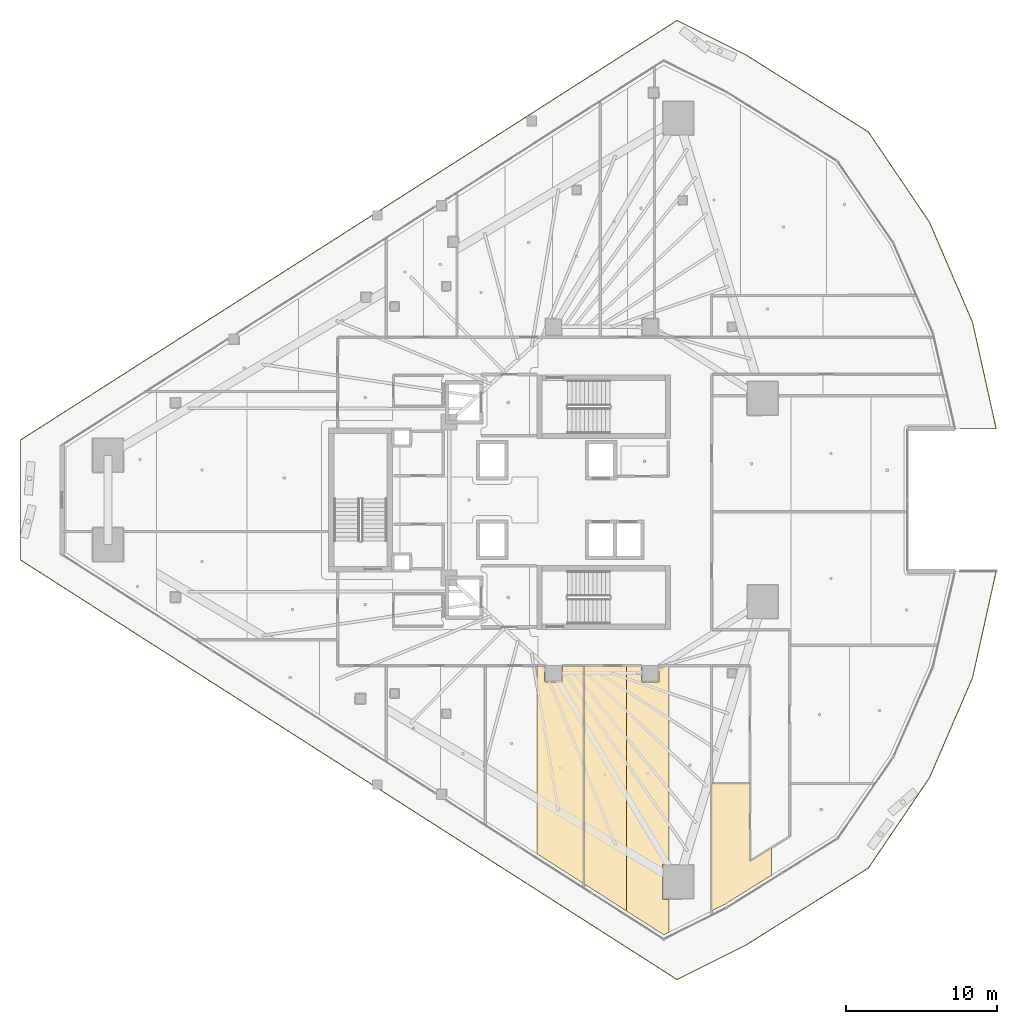
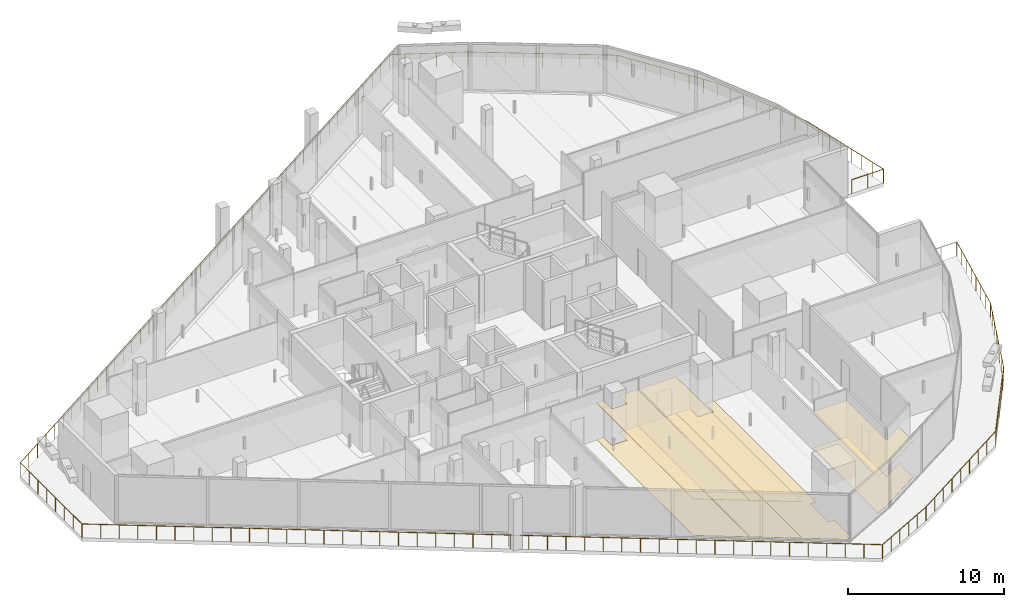
# One storey, part 31 of 35: 7 coverings, 1 railing.
"""IFC4 building model written with IfcOpenShell, lengths in metres."""

from ifc_helpers import new_model, si_unit, direction, frame, origin, origin_2d, place, context, subcontext, project, spatial, polyline, circle, outline, extrude, material, layer, layer_set, type_object, element, save


model = new_model("IFC4")

# Units and contexts
model_context = context("Model", 3, precision=1e-05, world=origin(), true_north=direction((0.0, 1.0)))
body_context = subcontext(model_context, "Body", "Model", "MODEL_VIEW")
ifc_project = project(units=[si_unit("LENGTHUNIT", "METRE"), si_unit("AREAUNIT", "SQUARE_METRE"), si_unit("VOLUMEUNIT", "CUBIC_METRE"), si_unit("PLANEANGLEUNIT", "RADIAN"), si_unit("MASSUNIT", "GRAM", prefix="KILO")], contexts=[model_context])

# Site, building, storey
site_placement = place(None, origin())
site = spatial("IfcSite", under=ifc_project, at=site_placement, CompositionType="ELEMENT")
building_placement = place(site_placement, origin())
building = spatial("IfcBuilding", under=site, at=building_placement, Name="Qorvath Tower", CompositionType="ELEMENT")
storey_placement = place(building_placement, frame((0.0, 0.0, 166.5)))
storey = spatial("IfcBuildingStorey", under=building, at=storey_placement, Name="L38", CompositionType="ELEMENT", Elevation=166.5)

# Coverings
ifc_material_1 = material(Name="Acoustic mineral fibre ceiling tile", Category="gypsum")
ifc_layer_1 = layer(ifc_material_1, 0.030029296875)
ifc_layer_set_1 = layer_set([ifc_layer_1], Name="COV-CEIL")
covering_type_1 = type_object("IfcCoveringType", Name="COV-CEIL", PredefinedType="CEILING", material=ifc_layer_set_1)
covering_1_placement = place(storey_placement, frame((0.0, 0.0, 2.85009765625)))
element("IfcCovering", 1, at=covering_1_placement, inside=storey, type_object=covering_type_1, Name="L38 Suspended Acoustic Ceiling 024", PredefinedType="CEILING", context=body_context, shape_type="SweptSolid", body=[
    extrude(outline(polyline([(-21.611328125, -25.3583984375), (-21.611328125, -10.962890625), (-23.014892578125, -10.962890625), (-23.032470703125, -12.017333984375), (-24.125, -12.034912109375), (-24.18505859375, -11.97509765625), (-24.18505859375, -10.962890625), (-24.685546875, -10.962890625), (-24.685546875, -23.393798828125), (-21.611328125, -25.3583984375)])), origin(), (0.0, 0.0, 1.0), 0.030029296875),
])
covering_2_placement = place(storey_placement, frame((0.0, 0.0, 2.85009765625)))
element("IfcCovering", 2, at=covering_2_placement, inside=storey, type_object=covering_type_1, Name="L38 Suspended Acoustic Ceiling 025", PredefinedType="CEILING", context=body_context, shape_type="SweptSolid", body=[
    extrude(outline(polyline([(-18.780517578125, -27.167724609375), (-18.780517578125, -10.962890625), (-21.59326171875, -10.962890625), (-21.59326171875, -25.3701171875), (-18.780517578125, -27.167724609375)])), origin(), (0.0, 0.0, 1.0), 0.030029296875),
])
covering_3_placement = place(storey_placement, frame((0.0, 0.0, 2.85009765625)))
element("IfcCovering", 3, at=covering_3_placement, inside=storey, type_object=covering_type_1, Name="L38 Suspended Acoustic Ceiling 028", PredefinedType="CEILING", context=body_context, shape_type="SweptSolid", body=[
    extrude(outline(polyline([(-13.136962890625, -18.7490234375), (-13.136962890625, -27.16796875), (-12.29443359375, -26.74658203125), (-9.174072265625, -24.7998046875), (-9.174072265625, -22.991943359375), (-10.608642578125, -23.8876953125), (-10.613037109375, -18.7490234375), (-13.136962890625, -18.7490234375)])), origin(), (0.0, 0.0, 1.0), 0.030029296875),
])
ifc_material_2 = material(Name="Low-VOC modular carpet tile", Category="textile")
ifc_layer_2 = layer(ifc_material_2, 0.014892578125)
ifc_layer_set_2 = layer_set([ifc_layer_2], Name="COV-FLOOR-CPT")
covering_type_2 = type_object("IfcCoveringType", Name="COV-FLOOR-CPT", PredefinedType="FLOORING", material=ifc_layer_set_2)
covering_4_placement = place(storey_placement, origin())
element("IfcCovering", 4, at=covering_4_placement, inside=storey, type_object=covering_type_2, Name="L38 Floor Finish 024", PredefinedType="FLOORING", context=body_context, shape_type="SweptSolid", body=[
    extrude(outline(polyline([(-21.611328125, -25.3583984375), (-21.611328125, -10.962890625), (-23.014892578125, -10.962890625), (-23.032470703125, -12.017333984375), (-24.125, -12.034912109375), (-24.18505859375, -11.97509765625), (-24.18505859375, -10.962890625), (-24.685546875, -10.962890625), (-24.685546875, -23.393798828125), (-21.611328125, -25.3583984375)])), origin(), (0.0, 0.0, 1.0), 0.014892578125),
])
covering_5_placement = place(storey_placement, origin())
element("IfcCovering", 5, at=covering_5_placement, inside=storey, type_object=covering_type_2, Name="L38 Floor Finish 025", PredefinedType="FLOORING", context=body_context, shape_type="SweptSolid", body=[
    extrude(outline(polyline([(-18.780517578125, -27.167724609375), (-18.780517578125, -10.962890625), (-21.59326171875, -10.962890625), (-21.59326171875, -25.3701171875), (-18.780517578125, -27.167724609375)])), origin(), (0.0, 0.0, 1.0), 0.014892578125),
])
covering_6_placement = place(storey_placement, origin())
element("IfcCovering", 6, at=covering_6_placement, inside=storey, type_object=covering_type_2, Name="L38 Floor Finish 026", PredefinedType="FLOORING", context=body_context, shape_type="SweptSolid", body=[
    extrude(outline(polyline([(-15.9677734375, -28.583251953125), (-15.9677734375, -26.40283203125), (-16.34423828125, -26.406005859375), (-16.404296875, -26.34619140625), (-16.38671875, -24.103759765625), (-15.9677734375, -24.103759765625), (-15.9677734375, -10.962890625), (-16.614990234375, -10.962890625), (-16.632568359375, -12.017333984375), (-17.72509765625, -12.034912109375), (-17.784912109375, -11.97509765625), (-17.784912109375, -10.962890625), (-18.780517578125, -10.962890625), (-18.780517578125, -27.167724609375), (-16.30322265625, -28.7509765625), (-15.9677734375, -28.583251953125)])), origin(), (0.0, 0.0, 1.0), 0.014892578125),
])
covering_7_placement = place(storey_placement, origin())
element("IfcCovering", 7, at=covering_7_placement, inside=storey, type_object=covering_type_2, Name="L38 Floor Finish 028", PredefinedType="FLOORING", context=body_context, shape_type="SweptSolid", body=[
    extrude(outline(polyline([(-13.136962890625, -18.7490234375), (-13.136962890625, -27.16796875), (-12.29443359375, -26.74658203125), (-9.174072265625, -24.7998046875), (-9.174072265625, -22.991943359375), (-10.608642578125, -23.8876953125), (-10.613037109375, -18.7490234375), (-13.136962890625, -18.7490234375)])), origin(), (0.0, 0.0, 1.0), 0.014892578125),
])

# Railing
ifc_material_3 = material(Name="Laminated safety glass and stainless steel AISI 316", Category="steel")
railing_type = type_object("IfcRailingType", Name="RL-EXT-GRD", PredefinedType="GUARDRAIL", material=ifc_material_3)
railing_placement = place(storey_placement, frame((5.671630859375, -4.708740234375, 0.0)))
element("IfcRailing", 8, at=railing_placement, inside=storey, type_object=railing_type, Name="Loggia Perimeter Guardrail L38-1.1", PredefinedType="GUARDRAIL", context=body_context, shape_type="SweptSolid", body=[
    extrude(circle(Radius=0.02392578125, at=origin_2d()), frame((0.0, 0.0, 1.09619140625), z_axis=(-0.216084314654, -0.976374707252, 0.0), x_axis=(0.976374707252, -0.216084314654, 0.0)), (0.0, 0.0, 1.0), 7.210693359375),
    extrude(circle(Radius=0.02392578125, at=origin_2d()), frame((-1.55810546875, -7.040283203125, 1.09619140625), z_axis=(-0.395496037293, -0.918467682875, 0.0), x_axis=(0.918467682875, -0.395496037293, 0.0)), (0.0, 0.0, 1.0), 7.210693359375),
    extrude(circle(Radius=0.02392578125, at=origin_2d()), frame((-4.409912109375, -13.6630859375, 1.09619140625), z_axis=(-0.560803224687, -0.827949118715, 0.0), x_axis=(0.827949118715, -0.560803224687, 0.0)), (0.0, 0.0, 1.0), 7.21044921875),
    extrude(circle(Radius=0.02392578125, at=origin_2d()), frame((-8.45361328125, -19.633056640625, 1.09619140625), z_axis=(-0.846488699048, -0.532406688898, 0.0), x_axis=(0.532406688898, -0.846488699048, 0.0)), (0.0, 0.0, 1.0), 9.5888671875),
    extrude(circle(Radius=0.02392578125, at=origin_2d()), frame((-16.570556640625, -24.73828125, 1.09619140625), z_axis=(-0.894427191, -0.4472135955, 0.0), x_axis=(0.4472135955, -0.894427191, 0.0)), (0.0, 0.0, 1.0), 5.06494140625),
    extrude(circle(Radius=0.02392578125, at=origin_2d()), frame((-21.100830078125, -27.00341796875, 1.09619140625), z_axis=(-0.842603748343, 0.538534050249, 0.0), x_axis=(-0.538534050249, -0.842603748343, 0.0)), (0.0, 0.0, 1.0), 51.525146484375),
    extrude(circle(Radius=0.02392578125, at=origin_2d()), frame((-64.51611328125, 0.74462890625, 1.09619140625), z_axis=(0.0, 1.0, 0.0), x_axis=(-1.0, 0.0, 0.0)), (0.0, 0.0, 1.0), 7.92822265625),
    extrude(circle(Radius=0.02392578125, at=origin_2d()), frame((-64.51611328125, 8.6728515625, 1.09619140625), z_axis=(0.842603748343, 0.538534050249, 0.0), x_axis=(-0.538534050249, 0.842603748343, 0.0)), (0.0, 0.0, 1.0), 51.525146484375),
    extrude(circle(Radius=0.02392578125, at=origin_2d()), frame((-21.100830078125, 36.4208984375, 1.09619140625), z_axis=(0.894427191, -0.4472135955, 0.0), x_axis=(0.4472135955, 0.894427191, 0.0)), (0.0, 0.0, 1.0), 5.06494140625),
    extrude(circle(Radius=0.02392578125, at=origin_2d()), frame((-16.570556640625, 34.15576171875, 1.09619140625), z_axis=(0.846488699048, -0.532406688898, 0.0), x_axis=(0.532406688898, 0.846488699048, 0.0)), (0.0, 0.0, 1.0), 9.5888671875),
    extrude(circle(Radius=0.02392578125, at=origin_2d()), frame((-8.45361328125, 29.050537109375, 1.09619140625), z_axis=(0.560803224687, -0.827949118715, 0.0), x_axis=(0.827949118715, 0.560803224687, 0.0)), (0.0, 0.0, 1.0), 7.21044921875),
    extrude(circle(Radius=0.02392578125, at=origin_2d()), frame((-4.409912109375, 23.08056640625, 1.09619140625), z_axis=(0.395496037293, -0.918467682875, 0.0), x_axis=(0.918467682875, 0.395496037293, 0.0)), (0.0, 0.0, 1.0), 7.210693359375),
    extrude(circle(Radius=0.02392578125, at=origin_2d()), frame((-1.55810546875, 16.457763671875, 1.09619140625), z_axis=(0.216084314654, -0.976374707252, 0.0), x_axis=(0.976374707252, 0.216084314654, 0.0)), (0.0, 0.0, 1.0), 7.210693359375),
    extrude(circle(Radius=0.02392578125, at=origin_2d()), frame((0.0, 9.41748046875, 1.09619140625), z_axis=(-1.0, 0.0, 0.0), x_axis=(0.0, -1.0, 0.0)), (0.0, 0.0, 1.0), 2.36669921875),
    extrude(circle(Radius=0.02099609375, at=origin_2d()), origin(), (0.0, 0.0, 1.0), 1.072021484375),
    extrude(circle(Radius=0.02099609375, at=origin_2d()), frame((-0.22265625, -1.005859375, 0.0)), (0.0, 0.0, 1.0), 1.072021484375),
    extrude(circle(Radius=0.02099609375, at=origin_2d()), frame((-0.445068359375, -2.011474609375, 0.0)), (0.0, 0.0, 1.0), 1.072021484375),
    extrude(circle(Radius=0.02099609375, at=origin_2d()), frame((-0.667724609375, -3.017333984375, 0.0)), (0.0, 0.0, 1.0), 1.072021484375),
    extrude(circle(Radius=0.02099609375, at=origin_2d()), frame((-0.890380859375, -4.02294921875, 0.0)), (0.0, 0.0, 1.0), 1.072021484375),
    extrude(circle(Radius=0.02099609375, at=origin_2d()), frame((-1.113037109375, -5.02880859375, 0.0)), (0.0, 0.0, 1.0), 1.072021484375),
    extrude(circle(Radius=0.02099609375, at=origin_2d()), frame((-1.33544921875, -6.034423828125, 0.0)), (0.0, 0.0, 1.0), 1.072021484375),
    extrude(circle(Radius=0.02099609375, at=origin_2d()), frame((-1.55810546875, -7.040283203125, 0.0)), (0.0, 0.0, 1.0), 1.072021484375),
    extrude(circle(Radius=0.02099609375, at=origin_2d()), frame((-1.965576171875, -7.986328125, 0.0)), (0.0, 0.0, 1.0), 1.072021484375),
    extrude(circle(Radius=0.02099609375, at=origin_2d()), frame((-2.372802734375, -8.9326171875, 0.0)), (0.0, 0.0, 1.0), 1.072021484375),
    extrude(circle(Radius=0.02099609375, at=origin_2d()), frame((-2.7802734375, -9.878662109375, 0.0)), (0.0, 0.0, 1.0), 1.072021484375),
    extrude(circle(Radius=0.02099609375, at=origin_2d()), frame((-3.187744140625, -10.82470703125, 0.0)), (0.0, 0.0, 1.0), 1.072021484375),
    extrude(circle(Radius=0.02099609375, at=origin_2d()), frame((-3.59521484375, -11.770751953125, 0.0)), (0.0, 0.0, 1.0), 1.072021484375),
    extrude(circle(Radius=0.02099609375, at=origin_2d()), frame((-4.00244140625, -12.717041015625, 0.0)), (0.0, 0.0, 1.0), 1.072021484375),
    extrude(circle(Radius=0.02099609375, at=origin_2d()), frame((-4.409912109375, -13.6630859375, 0.0)), (0.0, 0.0, 1.0), 1.072021484375),
    extrude(circle(Radius=0.02099609375, at=origin_2d()), frame((-4.987548828125, -14.515869140625, 0.0)), (0.0, 0.0, 1.0), 1.072021484375),
    extrude(circle(Radius=0.02099609375, at=origin_2d()), frame((-5.565185546875, -15.368896484375, 0.0)), (0.0, 0.0, 1.0), 1.072021484375),
    extrude(circle(Radius=0.02099609375, at=origin_2d()), frame((-6.142822265625, -16.2216796875, 0.0)), (0.0, 0.0, 1.0), 1.072021484375),
    extrude(circle(Radius=0.02099609375, at=origin_2d()), frame((-6.720703125, -17.074462890625, 0.0)), (0.0, 0.0, 1.0), 1.072021484375),
    extrude(circle(Radius=0.02099609375, at=origin_2d()), frame((-7.29833984375, -17.92724609375, 0.0)), (0.0, 0.0, 1.0), 1.072021484375),
    extrude(circle(Radius=0.02099609375, at=origin_2d()), frame((-7.8759765625, -18.7802734375, 0.0)), (0.0, 0.0, 1.0), 1.072021484375),
    extrude(circle(Radius=0.02099609375, at=origin_2d()), frame((-8.45361328125, -19.633056640625, 0.0)), (0.0, 0.0, 1.0), 1.072021484375),
    extrude(circle(Radius=0.02099609375, at=origin_2d()), frame((-9.46826171875, -20.271240234375, 0.0)), (0.0, 0.0, 1.0), 1.072021484375),
    extrude(circle(Radius=0.02099609375, at=origin_2d()), frame((-10.48291015625, -20.909423828125, 0.0)), (0.0, 0.0, 1.0), 1.072021484375),
    extrude(circle(Radius=0.02099609375, at=origin_2d()), frame((-11.49755859375, -21.547607421875, 0.0)), (0.0, 0.0, 1.0), 1.072021484375),
    extrude(circle(Radius=0.02099609375, at=origin_2d()), frame((-12.51220703125, -22.185546875, 0.0)), (0.0, 0.0, 1.0), 1.072021484375),
    extrude(circle(Radius=0.02099609375, at=origin_2d()), frame((-13.526611328125, -22.82373046875, 0.0)), (0.0, 0.0, 1.0), 1.072021484375),
    extrude(circle(Radius=0.02099609375, at=origin_2d()), frame((-14.541259765625, -23.4619140625, 0.0)), (0.0, 0.0, 1.0), 1.072021484375),
    extrude(circle(Radius=0.02099609375, at=origin_2d()), frame((-15.555908203125, -24.10009765625, 0.0)), (0.0, 0.0, 1.0), 1.072021484375),
    extrude(circle(Radius=0.02099609375, at=origin_2d()), frame((-16.570556640625, -24.73828125, 0.0)), (0.0, 0.0, 1.0), 1.072021484375),
    extrude(circle(Radius=0.02099609375, at=origin_2d()), frame((-17.4765625, -25.19140625, 0.0)), (0.0, 0.0, 1.0), 1.072021484375),
    extrude(circle(Radius=0.02099609375, at=origin_2d()), frame((-18.382568359375, -25.644287109375, 0.0)), (0.0, 0.0, 1.0), 1.072021484375),
    extrude(circle(Radius=0.02099609375, at=origin_2d()), frame((-19.288818359375, -26.097412109375, 0.0)), (0.0, 0.0, 1.0), 1.072021484375),
    extrude(circle(Radius=0.02099609375, at=origin_2d()), frame((-20.19482421875, -26.55029296875, 0.0)), (0.0, 0.0, 1.0), 1.072021484375),
    extrude(circle(Radius=0.02099609375, at=origin_2d()), frame((-21.100830078125, -27.00341796875, 0.0)), (0.0, 0.0, 1.0), 1.072021484375),
    extrude(circle(Radius=0.02099609375, at=origin_2d()), frame((-22.110595703125, -26.358154296875, 0.0)), (0.0, 0.0, 1.0), 1.072021484375),
    extrude(circle(Radius=0.02099609375, at=origin_2d()), frame((-23.1201171875, -25.712890625, 0.0)), (0.0, 0.0, 1.0), 1.072021484375),
    extrude(circle(Radius=0.02099609375, at=origin_2d()), frame((-24.1298828125, -25.067626953125, 0.0)), (0.0, 0.0, 1.0), 1.072021484375),
    extrude(circle(Radius=0.02099609375, at=origin_2d()), frame((-25.139404296875, -24.422119140625, 0.0)), (0.0, 0.0, 1.0), 1.072021484375),
    extrude(circle(Radius=0.02099609375, at=origin_2d()), frame((-26.149169921875, -23.77685546875, 0.0)), (0.0, 0.0, 1.0), 1.072021484375),
    extrude(circle(Radius=0.02099609375, at=origin_2d()), frame((-27.15869140625, -23.131591796875, 0.0)), (0.0, 0.0, 1.0), 1.072021484375),
    extrude(circle(Radius=0.02099609375, at=origin_2d()), frame((-28.16845703125, -22.486328125, 0.0)), (0.0, 0.0, 1.0), 1.072021484375),
    extrude(circle(Radius=0.02099609375, at=origin_2d()), frame((-29.177978515625, -21.841064453125, 0.0)), (0.0, 0.0, 1.0), 1.072021484375),
    extrude(circle(Radius=0.02099609375, at=origin_2d()), frame((-30.187744140625, -21.19580078125, 0.0)), (0.0, 0.0, 1.0), 1.072021484375),
    extrude(circle(Radius=0.02099609375, at=origin_2d()), frame((-31.197509765625, -20.55029296875, 0.0)), (0.0, 0.0, 1.0), 1.072021484375),
    extrude(circle(Radius=0.02099609375, at=origin_2d()), frame((-32.20703125, -19.905029296875, 0.0)), (0.0, 0.0, 1.0), 1.072021484375),
    extrude(circle(Radius=0.02099609375, at=origin_2d()), frame((-33.216796875, -19.259765625, 0.0)), (0.0, 0.0, 1.0), 1.072021484375),
    extrude(circle(Radius=0.02099609375, at=origin_2d()), frame((-34.226318359375, -18.614501953125, 0.0)), (0.0, 0.0, 1.0), 1.072021484375),
    extrude(circle(Radius=0.02099609375, at=origin_2d()), frame((-35.236083984375, -17.96923828125, 0.0)), (0.0, 0.0, 1.0), 1.072021484375),
    extrude(circle(Radius=0.02099609375, at=origin_2d()), frame((-36.24560546875, -17.323974609375, 0.0)), (0.0, 0.0, 1.0), 1.072021484375),
    extrude(circle(Radius=0.02099609375, at=origin_2d()), frame((-37.25537109375, -16.678466796875, 0.0)), (0.0, 0.0, 1.0), 1.072021484375),
    extrude(circle(Radius=0.02099609375, at=origin_2d()), frame((-38.264892578125, -16.033203125, 0.0)), (0.0, 0.0, 1.0), 1.072021484375),
    extrude(circle(Radius=0.02099609375, at=origin_2d()), frame((-39.274658203125, -15.387939453125, 0.0)), (0.0, 0.0, 1.0), 1.072021484375),
    extrude(circle(Radius=0.02099609375, at=origin_2d()), frame((-40.284423828125, -14.74267578125, 0.0)), (0.0, 0.0, 1.0), 1.072021484375),
    extrude(circle(Radius=0.02099609375, at=origin_2d()), frame((-41.2939453125, -14.097412109375, 0.0)), (0.0, 0.0, 1.0), 1.072021484375),
    extrude(circle(Radius=0.02099609375, at=origin_2d()), frame((-42.3037109375, -13.4521484375, 0.0)), (0.0, 0.0, 1.0), 1.072021484375),
    extrude(circle(Radius=0.02099609375, at=origin_2d()), frame((-43.313232421875, -12.806640625, 0.0)), (0.0, 0.0, 1.0), 1.072021484375),
    extrude(circle(Radius=0.02099609375, at=origin_2d()), frame((-44.322998046875, -12.161376953125, 0.0)), (0.0, 0.0, 1.0), 1.072021484375),
    extrude(circle(Radius=0.02099609375, at=origin_2d()), frame((-45.33251953125, -11.51611328125, 0.0)), (0.0, 0.0, 1.0), 1.072021484375),
    extrude(circle(Radius=0.02099609375, at=origin_2d()), frame((-46.34228515625, -10.870849609375, 0.0)), (0.0, 0.0, 1.0), 1.072021484375),
    extrude(circle(Radius=0.02099609375, at=origin_2d()), frame((-47.35205078125, -10.2255859375, 0.0)), (0.0, 0.0, 1.0), 1.072021484375),
    extrude(circle(Radius=0.02099609375, at=origin_2d()), frame((-48.361572265625, -9.580322265625, 0.0)), (0.0, 0.0, 1.0), 1.072021484375),
    extrude(circle(Radius=0.02099609375, at=origin_2d()), frame((-49.371337890625, -8.934814453125, 0.0)), (0.0, 0.0, 1.0), 1.072021484375),
    extrude(circle(Radius=0.02099609375, at=origin_2d()), frame((-50.380859375, -8.28955078125, 0.0)), (0.0, 0.0, 1.0), 1.072021484375),
    extrude(circle(Radius=0.02099609375, at=origin_2d()), frame((-51.390625, -7.644287109375, 0.0)), (0.0, 0.0, 1.0), 1.072021484375),
    extrude(circle(Radius=0.02099609375, at=origin_2d()), frame((-52.400146484375, -6.9990234375, 0.0)), (0.0, 0.0, 1.0), 1.072021484375),
    extrude(circle(Radius=0.02099609375, at=origin_2d()), frame((-53.409912109375, -6.353759765625, 0.0)), (0.0, 0.0, 1.0), 1.072021484375),
    extrude(circle(Radius=0.02099609375, at=origin_2d()), frame((-54.41943359375, -5.70849609375, 0.0)), (0.0, 0.0, 1.0), 1.072021484375),
    extrude(circle(Radius=0.02099609375, at=origin_2d()), frame((-55.42919921875, -5.06298828125, 0.0)), (0.0, 0.0, 1.0), 1.072021484375),
    extrude(circle(Radius=0.02099609375, at=origin_2d()), frame((-56.43896484375, -4.417724609375, 0.0)), (0.0, 0.0, 1.0), 1.072021484375),
    extrude(circle(Radius=0.02099609375, at=origin_2d()), frame((-57.448486328125, -3.7724609375, 0.0)), (0.0, 0.0, 1.0), 1.072021484375),
    extrude(circle(Radius=0.02099609375, at=origin_2d()), frame((-58.458251953125, -3.127197265625, 0.0)), (0.0, 0.0, 1.0), 1.072021484375),
    extrude(circle(Radius=0.02099609375, at=origin_2d()), frame((-59.4677734375, -2.48193359375, 0.0)), (0.0, 0.0, 1.0), 1.072021484375),
    extrude(circle(Radius=0.02099609375, at=origin_2d()), frame((-60.4775390625, -1.836669921875, 0.0)), (0.0, 0.0, 1.0), 1.072021484375),
    extrude(circle(Radius=0.02099609375, at=origin_2d()), frame((-61.487060546875, -1.191162109375, 0.0)), (0.0, 0.0, 1.0), 1.072021484375),
    extrude(circle(Radius=0.02099609375, at=origin_2d()), frame((-62.496826171875, -0.5458984375, 0.0)), (0.0, 0.0, 1.0), 1.072021484375),
    extrude(circle(Radius=0.02099609375, at=origin_2d()), frame((-63.50634765625, 0.099365234375, 0.0)), (0.0, 0.0, 1.0), 1.072021484375),
    extrude(circle(Radius=0.02099609375, at=origin_2d()), frame((-64.51611328125, 0.74462890625, 0.0)), (0.0, 0.0, 1.0), 1.072021484375),
    extrude(circle(Radius=0.02099609375, at=origin_2d()), frame((-64.51611328125, 1.877197265625, 0.0)), (0.0, 0.0, 1.0), 1.072021484375),
    extrude(circle(Radius=0.02099609375, at=origin_2d()), frame((-64.51611328125, 3.009765625, 0.0)), (0.0, 0.0, 1.0), 1.072021484375),
    extrude(circle(Radius=0.02099609375, at=origin_2d()), frame((-64.51611328125, 4.142333984375, 0.0)), (0.0, 0.0, 1.0), 1.072021484375),
    extrude(circle(Radius=0.02099609375, at=origin_2d()), frame((-64.51611328125, 5.275146484375, 0.0)), (0.0, 0.0, 1.0), 1.072021484375),
    extrude(circle(Radius=0.02099609375, at=origin_2d()), frame((-64.51611328125, 6.40771484375, 0.0)), (0.0, 0.0, 1.0), 1.072021484375),
    extrude(circle(Radius=0.02099609375, at=origin_2d()), frame((-64.51611328125, 7.540283203125, 0.0)), (0.0, 0.0, 1.0), 1.072021484375),
    extrude(circle(Radius=0.02099609375, at=origin_2d()), frame((-64.51611328125, 8.6728515625, 0.0)), (0.0, 0.0, 1.0), 1.072021484375),
    extrude(circle(Radius=0.02099609375, at=origin_2d()), frame((-63.50634765625, 9.318115234375, 0.0)), (0.0, 0.0, 1.0), 1.072021484375),
    extrude(circle(Radius=0.02099609375, at=origin_2d()), frame((-62.496826171875, 9.96337890625, 0.0)), (0.0, 0.0, 1.0), 1.072021484375),
    extrude(circle(Radius=0.02099609375, at=origin_2d()), frame((-61.487060546875, 10.608642578125, 0.0)), (0.0, 0.0, 1.0), 1.072021484375),
    extrude(circle(Radius=0.02099609375, at=origin_2d()), frame((-60.4775390625, 11.254150390625, 0.0)), (0.0, 0.0, 1.0), 1.072021484375),
    extrude(circle(Radius=0.02099609375, at=origin_2d()), frame((-59.4677734375, 11.8994140625, 0.0)), (0.0, 0.0, 1.0), 1.072021484375),
    extrude(circle(Radius=0.02099609375, at=origin_2d()), frame((-58.458251953125, 12.544677734375, 0.0)), (0.0, 0.0, 1.0), 1.072021484375),
    extrude(circle(Radius=0.02099609375, at=origin_2d()), frame((-57.448486328125, 13.18994140625, 0.0)), (0.0, 0.0, 1.0), 1.072021484375),
    extrude(circle(Radius=0.02099609375, at=origin_2d()), frame((-56.43896484375, 13.835205078125, 0.0)), (0.0, 0.0, 1.0), 1.072021484375),
    extrude(circle(Radius=0.02099609375, at=origin_2d()), frame((-55.42919921875, 14.48046875, 0.0)), (0.0, 0.0, 1.0), 1.072021484375),
    extrude(circle(Radius=0.02099609375, at=origin_2d()), frame((-54.41943359375, 15.1259765625, 0.0)), (0.0, 0.0, 1.0), 1.072021484375),
    extrude(circle(Radius=0.02099609375, at=origin_2d()), frame((-53.409912109375, 15.771240234375, 0.0)), (0.0, 0.0, 1.0), 1.072021484375),
    extrude(circle(Radius=0.02099609375, at=origin_2d()), frame((-52.400146484375, 16.41650390625, 0.0)), (0.0, 0.0, 1.0), 1.072021484375),
    extrude(circle(Radius=0.02099609375, at=origin_2d()), frame((-51.390625, 17.061767578125, 0.0)), (0.0, 0.0, 1.0), 1.072021484375),
    extrude(circle(Radius=0.02099609375, at=origin_2d()), frame((-50.380859375, 17.70703125, 0.0)), (0.0, 0.0, 1.0), 1.072021484375),
    extrude(circle(Radius=0.02099609375, at=origin_2d()), frame((-49.371337890625, 18.352294921875, 0.0)), (0.0, 0.0, 1.0), 1.072021484375),
    extrude(circle(Radius=0.02099609375, at=origin_2d()), frame((-48.361572265625, 18.997802734375, 0.0)), (0.0, 0.0, 1.0), 1.072021484375),
    extrude(circle(Radius=0.02099609375, at=origin_2d()), frame((-47.35205078125, 19.64306640625, 0.0)), (0.0, 0.0, 1.0), 1.072021484375),
    extrude(circle(Radius=0.02099609375, at=origin_2d()), frame((-46.34228515625, 20.288330078125, 0.0)), (0.0, 0.0, 1.0), 1.072021484375),
    extrude(circle(Radius=0.02099609375, at=origin_2d()), frame((-45.33251953125, 20.93359375, 0.0)), (0.0, 0.0, 1.0), 1.072021484375),
    extrude(circle(Radius=0.02099609375, at=origin_2d()), frame((-44.322998046875, 21.578857421875, 0.0)), (0.0, 0.0, 1.0), 1.072021484375),
    extrude(circle(Radius=0.02099609375, at=origin_2d()), frame((-43.313232421875, 22.22412109375, 0.0)), (0.0, 0.0, 1.0), 1.072021484375),
    extrude(circle(Radius=0.02099609375, at=origin_2d()), frame((-42.3037109375, 22.86962890625, 0.0)), (0.0, 0.0, 1.0), 1.072021484375),
    extrude(circle(Radius=0.02099609375, at=origin_2d()), frame((-41.2939453125, 23.514892578125, 0.0)), (0.0, 0.0, 1.0), 1.072021484375),
    extrude(circle(Radius=0.02099609375, at=origin_2d()), frame((-40.284423828125, 24.16015625, 0.0)), (0.0, 0.0, 1.0), 1.072021484375),
    extrude(circle(Radius=0.02099609375, at=origin_2d()), frame((-39.274658203125, 24.805419921875, 0.0)), (0.0, 0.0, 1.0), 1.072021484375),
    extrude(circle(Radius=0.02099609375, at=origin_2d()), frame((-38.264892578125, 25.45068359375, 0.0)), (0.0, 0.0, 1.0), 1.072021484375),
    extrude(circle(Radius=0.02099609375, at=origin_2d()), frame((-37.25537109375, 26.095947265625, 0.0)), (0.0, 0.0, 1.0), 1.072021484375),
    extrude(circle(Radius=0.02099609375, at=origin_2d()), frame((-36.24560546875, 26.741455078125, 0.0)), (0.0, 0.0, 1.0), 1.072021484375),
    extrude(circle(Radius=0.02099609375, at=origin_2d()), frame((-35.236083984375, 27.38671875, 0.0)), (0.0, 0.0, 1.0), 1.072021484375),
    extrude(circle(Radius=0.02099609375, at=origin_2d()), frame((-34.226318359375, 28.031982421875, 0.0)), (0.0, 0.0, 1.0), 1.072021484375),
    extrude(circle(Radius=0.02099609375, at=origin_2d()), frame((-33.216796875, 28.67724609375, 0.0)), (0.0, 0.0, 1.0), 1.072021484375),
    extrude(circle(Radius=0.02099609375, at=origin_2d()), frame((-32.20703125, 29.322509765625, 0.0)), (0.0, 0.0, 1.0), 1.072021484375),
    extrude(circle(Radius=0.02099609375, at=origin_2d()), frame((-31.197509765625, 29.9677734375, 0.0)), (0.0, 0.0, 1.0), 1.072021484375),
    extrude(circle(Radius=0.02099609375, at=origin_2d()), frame((-30.187744140625, 30.61328125, 0.0)), (0.0, 0.0, 1.0), 1.072021484375),
    extrude(circle(Radius=0.02099609375, at=origin_2d()), frame((-29.177978515625, 31.258544921875, 0.0)), (0.0, 0.0, 1.0), 1.072021484375),
    extrude(circle(Radius=0.02099609375, at=origin_2d()), frame((-28.16845703125, 31.90380859375, 0.0)), (0.0, 0.0, 1.0), 1.072021484375),
    extrude(circle(Radius=0.02099609375, at=origin_2d()), frame((-27.15869140625, 32.549072265625, 0.0)), (0.0, 0.0, 1.0), 1.072021484375),
    extrude(circle(Radius=0.02099609375, at=origin_2d()), frame((-26.149169921875, 33.1943359375, 0.0)), (0.0, 0.0, 1.0), 1.072021484375),
    extrude(circle(Radius=0.02099609375, at=origin_2d()), frame((-25.139404296875, 33.839599609375, 0.0)), (0.0, 0.0, 1.0), 1.072021484375),
    extrude(circle(Radius=0.02099609375, at=origin_2d()), frame((-24.1298828125, 34.485107421875, 0.0)), (0.0, 0.0, 1.0), 1.072021484375),
    extrude(circle(Radius=0.02099609375, at=origin_2d()), frame((-23.1201171875, 35.13037109375, 0.0)), (0.0, 0.0, 1.0), 1.072021484375),
    extrude(circle(Radius=0.02099609375, at=origin_2d()), frame((-22.110595703125, 35.775634765625, 0.0)), (0.0, 0.0, 1.0), 1.072021484375),
    extrude(circle(Radius=0.02099609375, at=origin_2d()), frame((-21.100830078125, 36.4208984375, 0.0)), (0.0, 0.0, 1.0), 1.072021484375),
    extrude(circle(Radius=0.02099609375, at=origin_2d()), frame((-20.19482421875, 35.9677734375, 0.0)), (0.0, 0.0, 1.0), 1.072021484375),
    extrude(circle(Radius=0.02099609375, at=origin_2d()), frame((-19.288818359375, 35.514892578125, 0.0)), (0.0, 0.0, 1.0), 1.072021484375),
    extrude(circle(Radius=0.02099609375, at=origin_2d()), frame((-18.382568359375, 35.061767578125, 0.0)), (0.0, 0.0, 1.0), 1.072021484375),
    extrude(circle(Radius=0.02099609375, at=origin_2d()), frame((-17.4765625, 34.60888671875, 0.0)), (0.0, 0.0, 1.0), 1.072021484375),
    extrude(circle(Radius=0.02099609375, at=origin_2d()), frame((-16.570556640625, 34.15576171875, 0.0)), (0.0, 0.0, 1.0), 1.072021484375),
    extrude(circle(Radius=0.02099609375, at=origin_2d()), frame((-15.555908203125, 33.517578125, 0.0)), (0.0, 0.0, 1.0), 1.072021484375),
    extrude(circle(Radius=0.02099609375, at=origin_2d()), frame((-14.541259765625, 32.87939453125, 0.0)), (0.0, 0.0, 1.0), 1.072021484375),
    extrude(circle(Radius=0.02099609375, at=origin_2d()), frame((-13.526611328125, 32.2412109375, 0.0)), (0.0, 0.0, 1.0), 1.072021484375),
    extrude(circle(Radius=0.02099609375, at=origin_2d()), frame((-12.51220703125, 31.60302734375, 0.0)), (0.0, 0.0, 1.0), 1.072021484375),
    extrude(circle(Radius=0.02099609375, at=origin_2d()), frame((-11.49755859375, 30.965087890625, 0.0)), (0.0, 0.0, 1.0), 1.072021484375),
    extrude(circle(Radius=0.02099609375, at=origin_2d()), frame((-10.48291015625, 30.326904296875, 0.0)), (0.0, 0.0, 1.0), 1.072021484375),
    extrude(circle(Radius=0.02099609375, at=origin_2d()), frame((-9.46826171875, 29.688720703125, 0.0)), (0.0, 0.0, 1.0), 1.072021484375),
    extrude(circle(Radius=0.02099609375, at=origin_2d()), frame((-8.45361328125, 29.050537109375, 0.0)), (0.0, 0.0, 1.0), 1.072021484375),
    extrude(circle(Radius=0.02099609375, at=origin_2d()), frame((-7.8759765625, 28.19775390625, 0.0)), (0.0, 0.0, 1.0), 1.072021484375),
    extrude(circle(Radius=0.02099609375, at=origin_2d()), frame((-7.29833984375, 27.3447265625, 0.0)), (0.0, 0.0, 1.0), 1.072021484375),
    extrude(circle(Radius=0.02099609375, at=origin_2d()), frame((-6.720703125, 26.491943359375, 0.0)), (0.0, 0.0, 1.0), 1.072021484375),
    extrude(circle(Radius=0.02099609375, at=origin_2d()), frame((-6.142822265625, 25.63916015625, 0.0)), (0.0, 0.0, 1.0), 1.072021484375),
    extrude(circle(Radius=0.02099609375, at=origin_2d()), frame((-5.565185546875, 24.786376953125, 0.0)), (0.0, 0.0, 1.0), 1.072021484375),
    extrude(circle(Radius=0.02099609375, at=origin_2d()), frame((-4.987548828125, 23.933349609375, 0.0)), (0.0, 0.0, 1.0), 1.072021484375),
    extrude(circle(Radius=0.02099609375, at=origin_2d()), frame((-4.409912109375, 23.08056640625, 0.0)), (0.0, 0.0, 1.0), 1.072021484375),
    extrude(circle(Radius=0.02099609375, at=origin_2d()), frame((-4.00244140625, 22.134521484375, 0.0)), (0.0, 0.0, 1.0), 1.072021484375),
    extrude(circle(Radius=0.02099609375, at=origin_2d()), frame((-3.59521484375, 21.188232421875, 0.0)), (0.0, 0.0, 1.0), 1.072021484375),
    extrude(circle(Radius=0.02099609375, at=origin_2d()), frame((-3.187744140625, 20.2421875, 0.0)), (0.0, 0.0, 1.0), 1.072021484375),
    extrude(circle(Radius=0.02099609375, at=origin_2d()), frame((-2.7802734375, 19.296142578125, 0.0)), (0.0, 0.0, 1.0), 1.072021484375),
    extrude(circle(Radius=0.02099609375, at=origin_2d()), frame((-2.372802734375, 18.35009765625, 0.0)), (0.0, 0.0, 1.0), 1.072021484375),
    extrude(circle(Radius=0.02099609375, at=origin_2d()), frame((-1.965576171875, 17.40380859375, 0.0)), (0.0, 0.0, 1.0), 1.072021484375),
    extrude(circle(Radius=0.02099609375, at=origin_2d()), frame((-1.55810546875, 16.457763671875, 0.0)), (0.0, 0.0, 1.0), 1.072021484375),
    extrude(circle(Radius=0.02099609375, at=origin_2d()), frame((-1.33544921875, 15.451904296875, 0.0)), (0.0, 0.0, 1.0), 1.072021484375),
    extrude(circle(Radius=0.02099609375, at=origin_2d()), frame((-1.113037109375, 14.4462890625, 0.0)), (0.0, 0.0, 1.0), 1.072021484375),
    extrude(circle(Radius=0.02099609375, at=origin_2d()), frame((-0.890380859375, 13.4404296875, 0.0)), (0.0, 0.0, 1.0), 1.072021484375),
    extrude(circle(Radius=0.02099609375, at=origin_2d()), frame((-0.667724609375, 12.434814453125, 0.0)), (0.0, 0.0, 1.0), 1.072021484375),
    extrude(circle(Radius=0.02099609375, at=origin_2d()), frame((-0.445068359375, 11.428955078125, 0.0)), (0.0, 0.0, 1.0), 1.072021484375),
    extrude(circle(Radius=0.02099609375, at=origin_2d()), frame((-0.22265625, 10.42333984375, 0.0)), (0.0, 0.0, 1.0), 1.072021484375),
    extrude(circle(Radius=0.02099609375, at=origin_2d()), frame((0.0, 9.41748046875, 0.0)), (0.0, 0.0, 1.0), 1.072021484375),
    extrude(circle(Radius=0.02099609375, at=origin_2d()), frame((-1.183349609375, 9.41748046875, 0.0)), (0.0, 0.0, 1.0), 1.072021484375),
    extrude(circle(Radius=0.02099609375, at=origin_2d()), frame((-2.36669921875, 9.41748046875, 0.0)), (0.0, 0.0, 1.0), 1.072021484375),
])

save(model, "model.ifc")
